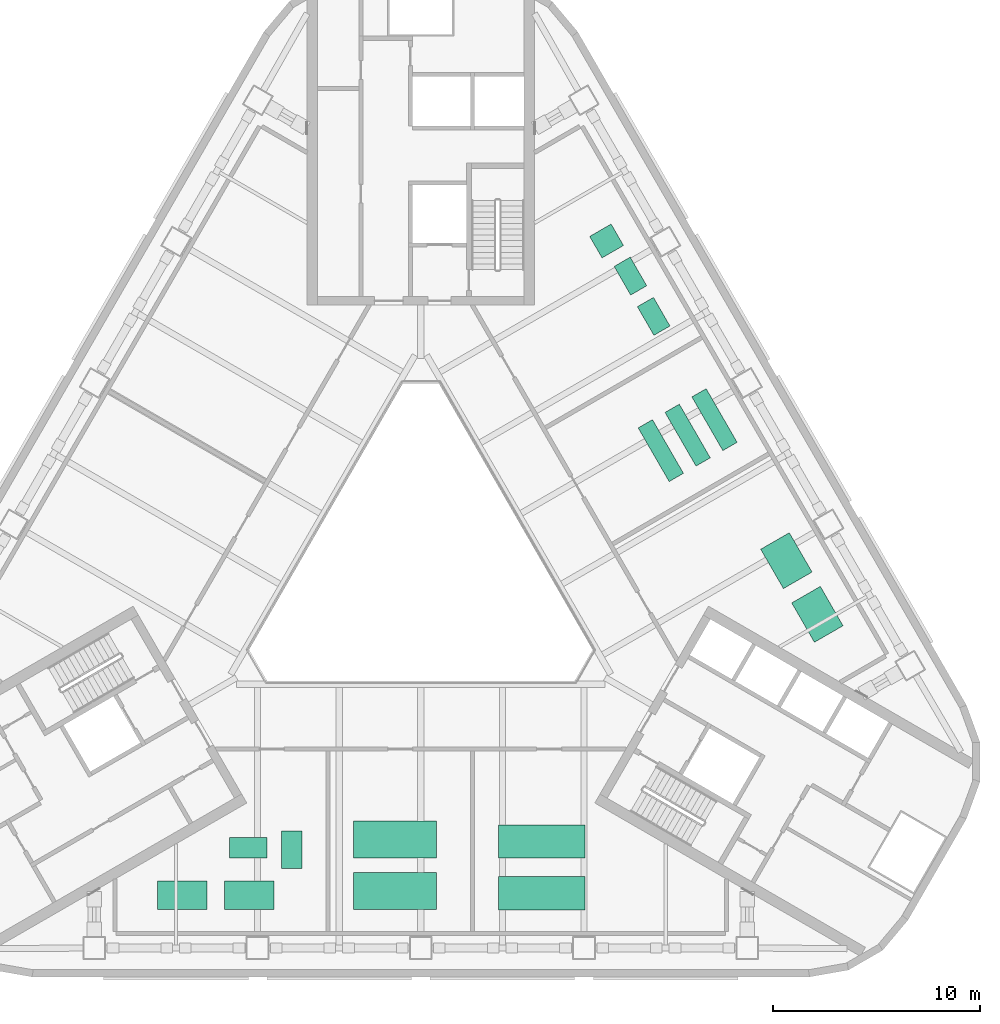
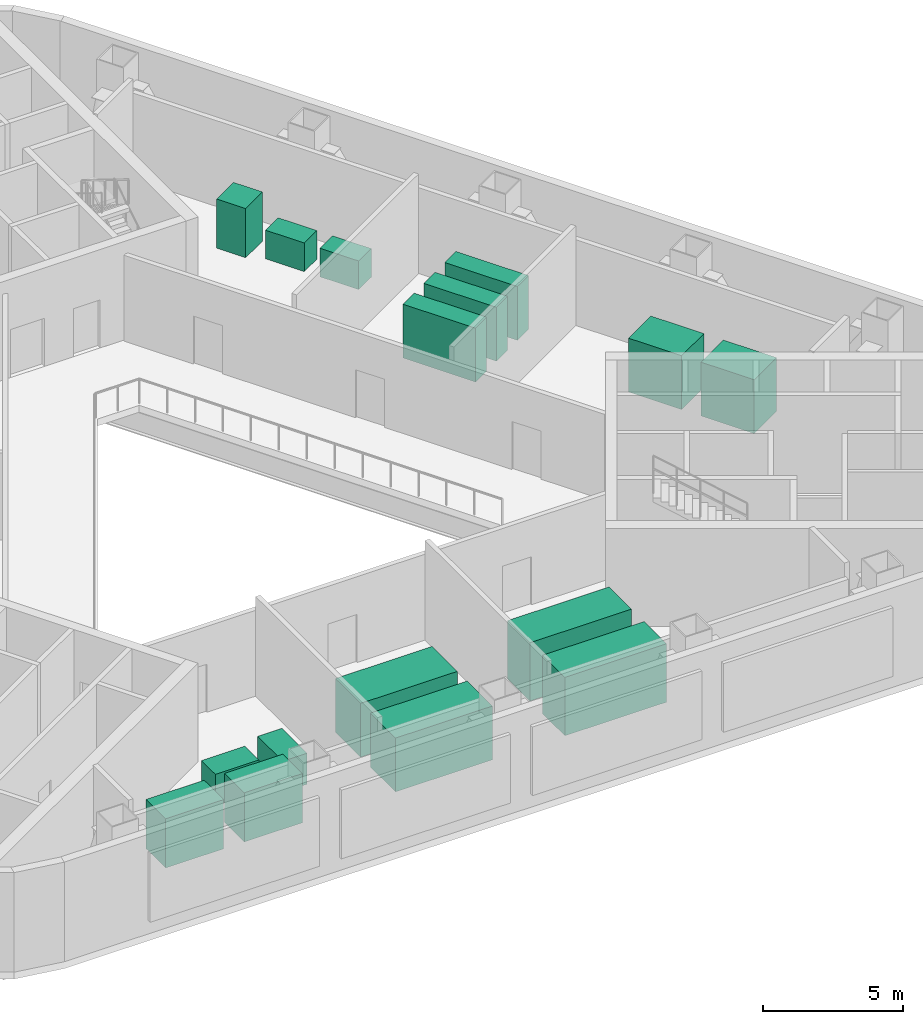
# One storey, part 14 of 14: 4 pumps, 3 electric distribution boards, 2 boilers, 2 electric generators, 2 transformers, 2 unitary equipment elements, 1 tank.
"""IFC4 building model written with IfcOpenShell, lengths in metres."""

import ifcopenshell
import ifcopenshell.guid

model = None  # the IFC model being written
_history = None  # IfcOwnerHistory: only IFC2X3 demands one
_inside = {}  # id of a spatial element -> (the spatial element, [elements in it])
_under = {}  # id of a project, library or spatial element -> (it, [spatial elements below it])
_declared = {}  # id of a project -> (the project, [libraries it declares])
_typed = {}  # id of a type object -> (the type object, [elements of that type])
_made_of = {}  # id of a material, layer set ... -> (it, [elements and type objects made of it])


def new_model(schema):
    """Start an empty IFC model of exactly this schema.

    Asked for "IFC4X3", IfcOpenShell would pick the latest addendum, in which some entities
    have other attributes; the version numbers below select the first issue.
    IFC2X3 requires an IfcOwnerHistory on every rooted entity: one is made here for all.
    """
    global model, _history
    if schema == "IFC4X3":
        model = ifcopenshell.file(schema_version=(4, 3, 0, 0))
    else:
        model = ifcopenshell.file(schema=schema)
    _inside.clear()
    _under.clear()
    _declared.clear()
    _typed.clear()
    _made_of.clear()
    _history = None
    if model.schema == "IFC2X3":
        org = make("IfcOrganization", Name="unknown")
        user = make(
            "IfcPersonAndOrganization",
            ThePerson=make("IfcPerson", FamilyName="unknown"),
            TheOrganization=org,
        )
        app = make(
            "IfcApplication",
            ApplicationDeveloper=org,
            Version="unknown",
            ApplicationFullName="unknown",
            ApplicationIdentifier="unknown",
        )
        _history = make(
            "IfcOwnerHistory",
            OwningUser=user,
            OwningApplication=app,
            ChangeAction="ADDED",
            CreationDate=0,
        )
    return model


def make(cls, **values):
    """One entity of the class cls with the attributes given. An attribute that is None is left unset."""
    return model.create_entity(
        cls, **{name: value for name, value in values.items() if value is not None}
    )


def rooted(cls, **values):
    """An entity with a GlobalId (a new one), such as an element, a storey or a relation."""
    return make(cls, GlobalId=ifcopenshell.guid.new(), OwnerHistory=_history, **values)


def si_unit(unit_type, name, prefix=None):
    """IfcSIUnit, for example si_unit("LENGTHUNIT", "METRE", prefix="MILLI")."""
    return make("IfcSIUnit", UnitType=unit_type, Prefix=prefix, Name=name)


def assignment(units):
    """IfcUnitAssignment: the units of a project."""
    return None if units is None else make("IfcUnitAssignment", Units=units)


def point(xyz):
    """IfcCartesianPoint."""
    return None if xyz is None else make("IfcCartesianPoint", Coordinates=xyz)


def direction(xyz):
    """IfcDirection."""
    return None if xyz is None else make("IfcDirection", DirectionRatios=xyz)


def frame(location, z_axis=None, x_axis=None):
    """IfcAxis2Placement3D, a coordinate frame: its origin and axes. An axis left out is left unset."""
    return make(
        "IfcAxis2Placement3D",
        Location=point(location),
        Axis=direction(z_axis),
        RefDirection=direction(x_axis),
    )


def frame_2d(location, x_axis=None):
    """IfcAxis2Placement2D, a coordinate frame in the plane: its origin and x axis."""
    return make(
        "IfcAxis2Placement2D", Location=point(location), RefDirection=direction(x_axis)
    )


def origin():
    """The frame at (0, 0, 0) with its axes left unset."""
    return frame((0.0, 0.0, 0.0))


def origin_2d():
    """The frame at (0, 0) in the plane with its x axis left unset."""
    return frame_2d((0.0, 0.0))


def place(relative_to, where):
    """IfcLocalPlacement: puts the frame where relative to a parent placement (None: the world)."""
    return make(
        "IfcLocalPlacement", PlacementRelTo=relative_to, RelativePlacement=where
    )


def context(
    kind, dimensions, precision=None, world=None, true_north=None, identifier=None
):
    """IfcGeometricRepresentationContext, for example the 3D "Model" context."""
    return make(
        "IfcGeometricRepresentationContext",
        ContextIdentifier=identifier,
        ContextType=kind,
        CoordinateSpaceDimension=dimensions,
        Precision=precision,
        WorldCoordinateSystem=world,
        TrueNorth=true_north,
    )


def subcontext(parent, identifier, kind, view, scale=None):
    """IfcGeometricRepresentationSubContext, for example "Body" below "Model"."""
    return make(
        "IfcGeometricRepresentationSubContext",
        ContextIdentifier=identifier,
        ContextType=kind,
        ParentContext=parent,
        TargetScale=scale,
        TargetView=view,
    )


def project(units=None, contexts=None):
    """IfcProject with its units and contexts."""
    return rooted(
        "IfcProject",
        Name="project",
        RepresentationContexts=contexts,
        UnitsInContext=assignment(units),
    )


def spatial(cls, under=None, at=None, **own):
    """A site, building, storey or space (cls), placed at a placement, below another one or the project."""
    s = rooted(cls, ObjectPlacement=at, **own)
    if under is not None:
        _under.setdefault(under.id(), (under, []))[1].append(s)
    return s


def profile(cls, at=None, kind="AREA", **sizes):
    """A parametric profile (cls). Its sizes go by their IFC names, for example OverallWidth=200.0."""
    return make(cls, ProfileType=kind, Position=at, **sizes)


def rectangle(**sizes):
    """IfcRectangleProfileDef."""
    return profile("IfcRectangleProfileDef", **sizes)


def extrude(swept, where, along, depth):
    """IfcExtrudedAreaSolid: the profile swept, set in the frame where, extruded along a direction by depth."""
    return make(
        "IfcExtrudedAreaSolid",
        SweptArea=swept,
        Position=where,
        ExtrudedDirection=direction(along),
        Depth=depth,
    )


def shape(context_of_items, identifier, shape_type, items):
    """IfcShapeRepresentation: the items that make up one representation, for example the "Body"."""
    return make(
        "IfcShapeRepresentation",
        ContextOfItems=context_of_items,
        RepresentationIdentifier=identifier,
        RepresentationType=shape_type,
        Items=items,
    )


def material(Name=None, Category=None):
    """IfcMaterial."""
    return make("IfcMaterial", Name=Name, Category=Category)


def made_of(thing, what):
    """Note that an element or type object is made of a material, layer set ...; save() writes the relation."""
    if what is not None:
        _made_of.setdefault(what.id(), (what, []))[1].append(thing)
    return thing


def type_object(cls, material=None, **own):
    """A type object (cls), such as IfcWallType, which elements share."""
    return made_of(rooted(cls, **own), material)


def element(
    cls,
    number,
    at=None,
    inside=None,
    cuts=None,
    type_object=None,
    material=None,
    context=None,
    identifier="Body",
    shape_type=None,
    held_by="IfcProductDefinitionShape",
    body=None,
    shapes=None,
    **own,
):
    """One element of the class cls, such as IfcWall. Its Tag is "e" and its number.

    at: its placement. inside: the storey or other place that contains it. cuts: it is an
    opening in that element (IfcRelVoidsElement). A single representation is given by context,
    identifier, shape_type and body (its items); several are given by shapes. held_by: the class
    of the entity that holds the representations. save() writes the other relations.
    """
    e = rooted(cls, Tag="e%d" % number, ObjectPlacement=at, **own)
    if body is not None:
        shapes = [shape(context, identifier, shape_type, body)]
    if shapes is not None:
        e.Representation = make(held_by, Representations=shapes)
    if inside is not None:
        _inside.setdefault(inside.id(), (inside, []))[1].append(e)
    if cuts is not None:
        rooted(
            "IfcRelVoidsElement", RelatingBuildingElement=cuts, RelatedOpeningElement=e
        )
    if type_object is not None:
        _typed.setdefault(type_object.id(), (type_object, []))[1].append(e)
    return made_of(e, material)


def aggregate(whole, parts):
    """IfcRelAggregates: a whole, such as a stair, and the parts it consists of."""
    return rooted("IfcRelAggregates", RelatingObject=whole, RelatedObjects=parts)


def save(model, path):
    """Write the relations noted so far, then the file.

    IfcRelAggregates (storeys below a building ...), IfcRelContainedInSpatialStructure (elements
    in a storey), IfcRelDefinesByType, IfcRelAssociatesMaterial and IfcRelDeclares: one each for
    every whole, place, type object, material and project.
    """
    for whole, parts in _under.values():
        aggregate(whole, parts)
    for where, things in _inside.values():
        rooted(
            "IfcRelContainedInSpatialStructure",
            RelatedElements=things,
            RelatingStructure=where,
        )
    for kind, things in _typed.values():
        rooted("IfcRelDefinesByType", RelatedObjects=things, RelatingType=kind)
    for what, things in _made_of.values():
        rooted("IfcRelAssociatesMaterial", RelatedObjects=things, RelatingMaterial=what)
    for by, libraries in _declared.values():
        rooted("IfcRelDeclares", RelatingContext=by, RelatedDefinitions=libraries)
    model.write(path)


model = new_model("IFC4")

# Units and contexts
model_context = context("Model", 3, precision=1e-05, world=origin(), true_north=direction((0.0, 1.0)))
body_context = subcontext(model_context, "Body", "Model", "MODEL_VIEW")
ifc_project = project(units=[si_unit("LENGTHUNIT", "METRE"), si_unit("AREAUNIT", "SQUARE_METRE"), si_unit("VOLUMEUNIT", "CUBIC_METRE"), si_unit("PLANEANGLEUNIT", "RADIAN"), si_unit("MASSUNIT", "GRAM", prefix="KILO")], contexts=[model_context])

# Site, building, storey
site_placement = place(None, origin())
site = spatial("IfcSite", under=ifc_project, at=site_placement, CompositionType="ELEMENT")
building_placement = place(site_placement, origin())
building = spatial("IfcBuilding", under=site, at=building_placement, Name="Apuvela Tower Hotel", CompositionType="ELEMENT")
storey_placement = place(building_placement, frame((0.0, 0.0, 42.0)))
storey = spatial("IfcBuildingStorey", under=building, at=storey_placement, Name="L07 Plant", CompositionType="ELEMENT", Elevation=42.0)

# Unitary equipment
ifc_material = material(Name="Painted sheet metal casing")
unitary_equipment_type = type_object("IfcUnitaryEquipmentType", Name="SPC-EQ-Air handling unit", PredefinedType="AIRHANDLER", material=ifc_material)
for number, where, z_axis, x_axis, name in (
    (1, (-1.25, -15.47998046875, 0.0), (0.0, 0.0, 1.0), (1.0, 0.0, 0.0), "Air handling unit L07-S2.1"),
    (2, (-1.25, -12.97998046875, 0.0), (0.0, 0.0, 1.0), (1.0, 0.0, 0.0), "Air handling unit L07-S2.2"),
):
    element("IfcUnitaryEquipment", number, at=place(storey_placement, frame(where, z_axis=z_axis, x_axis=x_axis)), inside=storey, type_object=unitary_equipment_type, Name=name, PredefinedType="AIRHANDLER", context=body_context, shape_type="SweptSolid", body=[
        extrude(rectangle(XDim=4.0, YDim=1.800048828125, at=origin_2d()), origin(), (0.0, 0.0, 1.0), 2.35009765625),
    ])

# Boilers
boiler_type = type_object("IfcBoilerType", Name="SPC-EQ-Boiler", PredefinedType="WATER", material=ifc_material)
for number, where, z_axis, x_axis, name in (
    (3, (-11.550048828125, -15.679931640625, 0.0), (0.0, 0.0, 1.0), (1.0, 0.0, 0.0), "Boiler L07-S1.1"),
    (4, (-8.300048828125, -15.679931640625, 0.0), (0.0, 0.0, 1.0), (1.0, 0.0, 0.0), "Boiler L07-S1.2"),
):
    element("IfcBoiler", number, at=place(storey_placement, frame(where, z_axis=z_axis, x_axis=x_axis)), inside=storey, type_object=boiler_type, Name=name, PredefinedType="WATER", context=body_context, shape_type="SweptSolid", body=[
        extrude(rectangle(XDim=2.39990234375, YDim=1.39990234375, at=origin_2d()), origin(), (0.0, 0.0, 1.0), 2.14990234375),
    ])

# Pumps
pump_type_1 = type_object("IfcPumpType", Name="SPC-EQ-Chilled water pump", PredefinedType="CIRCULATOR", material=ifc_material)
for number, where, z_axis, x_axis, name in (
    (5, (11.270751953125, 12.33837890625, 0.0), (0.0, 0.0, 1.0), (-0.5, 0.866025403784, 0.0), "Chilled water pump L07-NE3.1"),
    (6, (10.145751953125, 14.287109375, 0.0), (0.0, 0.0, 1.0), (-0.5, 0.866025403784, 0.0), "Chilled water pump L07-NE3.2"),
):
    element("IfcPump", number, at=place(storey_placement, frame(where, z_axis=z_axis, x_axis=x_axis)), inside=storey, type_object=pump_type_1, Name=name, PredefinedType="CIRCULATOR", context=body_context, shape_type="SweptSolid", body=[
        extrude(rectangle(XDim=1.60009765625, YDim=0.89990234375, at=origin_2d()), origin(), (0.0, 0.0, 1.0), 1.25),
    ])
pump_type_2 = type_object("IfcPumpType", Name="SPC-EQ-Condenser water pump", PredefinedType="CIRCULATOR", material=ifc_material)
pump_1_placement = place(storey_placement, frame((-8.35009765625, -13.3798828125, 0.0), z_axis=(0.0, 0.0, 1.0), x_axis=(1.0, 0.0, 0.0)))
element("IfcPump", 7, at=pump_1_placement, inside=storey, type_object=pump_type_2, Name="Condenser water pump L07-S1.3", PredefinedType="CIRCULATOR", context=body_context, shape_type="SweptSolid", body=[
    extrude(rectangle(XDim=1.800048828125, YDim=1.0, at=origin_2d()), origin(), (0.0, 0.0, 1.0), 1.35009765625),
])
pump_2_placement = place(storey_placement, frame((-6.25, -13.47998046875, 0.0), z_axis=(0.0, 0.0, 1.0), x_axis=(1.0, 0.0, 0.0)))
element("IfcPump", 8, at=pump_2_placement, inside=storey, type_object=pump_type_2, Name="Condenser water pump L07-S1.4", PredefinedType="CIRCULATOR", context=body_context, shape_type="SweptSolid", body=[
    extrude(rectangle(XDim=1.0, YDim=1.800048828125, at=origin_2d()), origin(), (0.0, 0.0, 1.0), 1.35009765625),
])

# Tank
tank_type = type_object("IfcTankType", Name="SPC-EQ-Pressure vessel", PredefinedType="PRESSUREVESSEL", material=ifc_material)
tank_placement = place(storey_placement, frame((8.990966796875, 15.9873046875, 0.0), z_axis=(0.0, 0.0, 1.0), x_axis=(-0.5, 0.866025403784, 0.0)))
element("IfcTank", 9, at=tank_placement, inside=storey, type_object=tank_type, Name="Pressure vessel L07-NE3.3", PredefinedType="PRESSUREVESSEL", context=body_context, shape_type="SweptSolid", body=[
    extrude(rectangle(XDim=1.199951171875, YDim=1.199951171875, at=origin_2d()), origin(), (0.0, 0.0, 1.0), 2.14990234375),
])

# Electric generators
electric_generator_type = type_object("IfcElectricGeneratorType", Name="SPC-EQ-Standby generator", PredefinedType="ENGINEGENERATOR", material=ifc_material)
for number, where, z_axis, x_axis, name in (
    (10, (5.85009765625, -15.580078125, 0.0), (0.0, 0.0, 1.0), (1.0, 0.0, 0.0), "Standby generator L07-S3.1"),
    (11, (5.85009765625, -13.080078125, 0.0), (0.0, 0.0, 1.0), (1.0, 0.0, 0.0), "Standby generator L07-S3.2"),
):
    element("IfcElectricGenerator", number, at=place(storey_placement, frame(where, z_axis=z_axis, x_axis=x_axis)), inside=storey, type_object=electric_generator_type, Name=name, PredefinedType="ENGINEGENERATOR", context=body_context, shape_type="SweptSolid", body=[
        extrude(rectangle(XDim=4.199951171875, YDim=1.60009765625, at=origin_2d()), origin(), (0.0, 0.0, 1.0), 2.550048828125),
    ])

# Electric distribution boards
electric_distribution_board_type = type_object("IfcElectricDistributionBoardType", Name="SPC-EQ-Switchboard", PredefinedType="SWITCHBOARD", material=ifc_material)
for number, where, z_axis, x_axis, name in (
    (12, (14.214111328125, 7.340576171875, 0.0), (0.0, 0.0, 1.0), (-0.5, 0.866025403784, 0.0), "Switchboard L07-NE2.1"),
    (13, (12.9150390625, 6.590576171875, 0.0), (0.0, 0.0, 1.0), (-0.5, 0.866025403784, 0.0), "Switchboard L07-NE2.2"),
    (14, (11.615966796875, 5.840576171875, 0.0), (0.0, 0.0, 1.0), (-0.5, 0.866025403784, 0.0), "Switchboard L07-NE2.3"),
):
    element("IfcElectricDistributionBoard", number, at=place(storey_placement, frame(where, z_axis=z_axis, x_axis=x_axis)), inside=storey, type_object=electric_distribution_board_type, Name=name, PredefinedType="SWITCHBOARD", context=body_context, shape_type="SweptSolid", body=[
        extrude(rectangle(XDim=3.0, YDim=0.800048828125, at=origin_2d()), origin(), (0.0, 0.0, 1.0), 2.35009765625),
    ])

# Transformers
transformer_type = type_object("IfcTransformerType", Name="SPC-EQ-Transformer", PredefinedType="VOLTAGE", material=ifc_material)
for number, where, z_axis, x_axis, name in (
    (15, (19.192626953125, -2.082763671875, 0.0), (0.0, 0.0, 1.0), (-0.5, 0.866025403784, 0.0), "Transformer L07-NE1.1"),
    (16, (17.692626953125, 0.515380859375, 0.0), (0.0, 0.0, 1.0), (-0.5, 0.866025403784, 0.0), "Transformer L07-NE1.2"),
):
    element("IfcTransformer", number, at=place(storey_placement, frame(where, z_axis=z_axis, x_axis=x_axis)), inside=storey, type_object=transformer_type, Name=name, PredefinedType="VOLTAGE", context=body_context, shape_type="SweptSolid", body=[
        extrude(rectangle(XDim=2.199951171875, YDim=1.60009765625, at=origin_2d()), origin(), (0.0, 0.0, 1.0), 2.35009765625),
    ])

save(model, "model.ifc")
